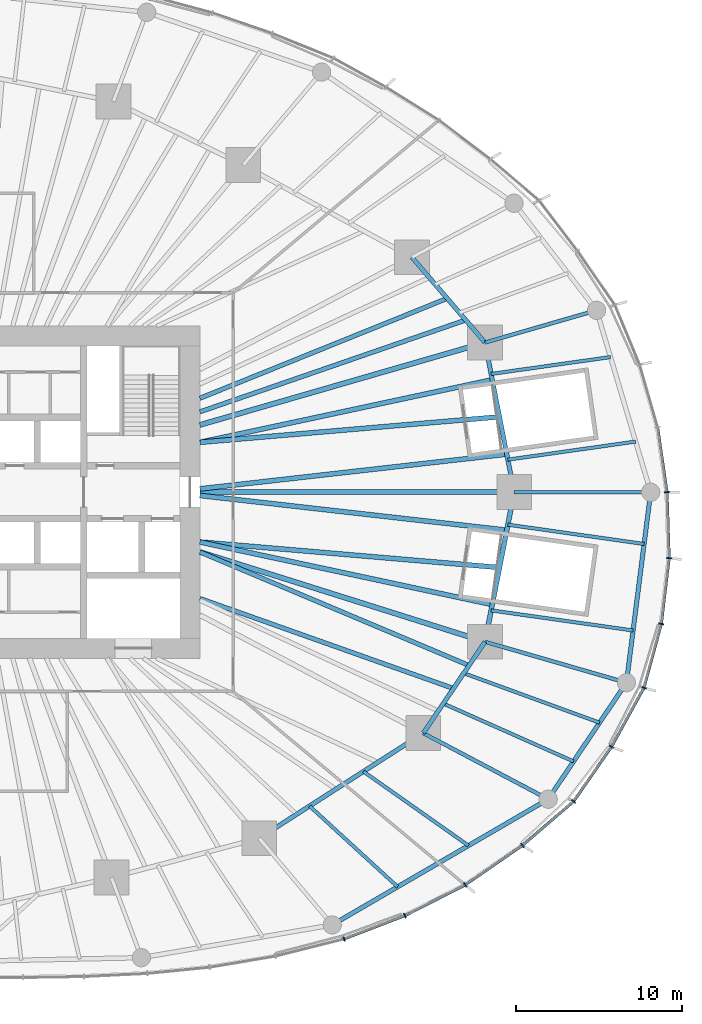
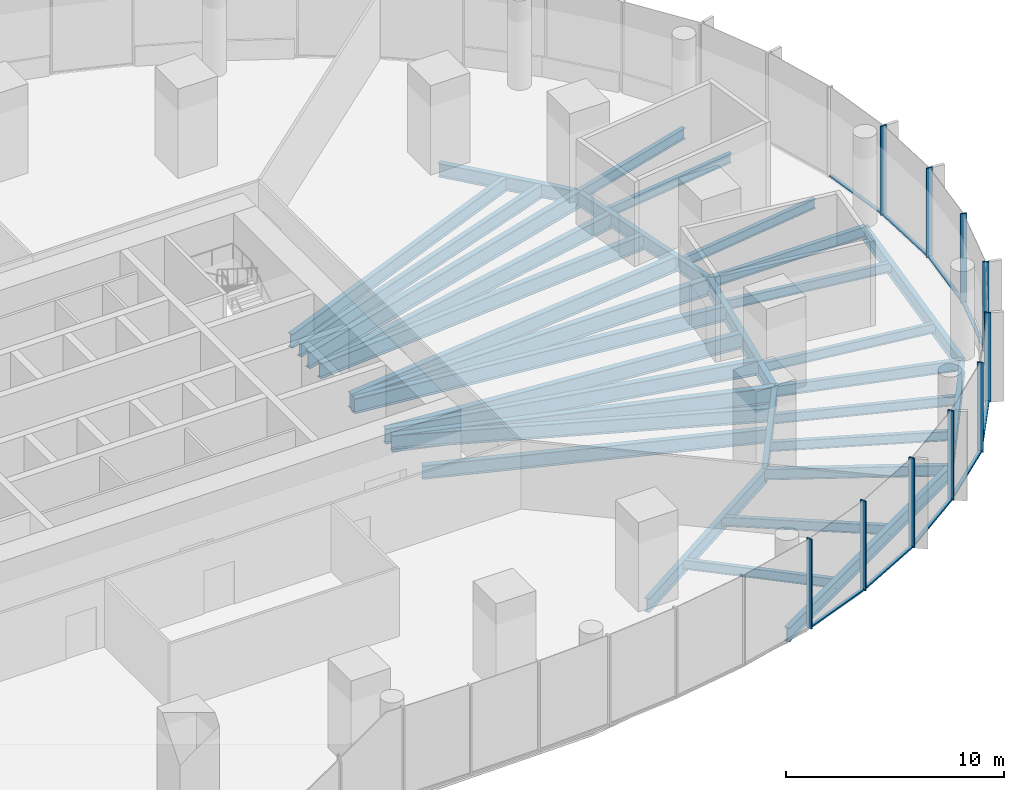
# One storey, part 8 of 27: 33 beams, 20 members, 4 elements without a shape of their own.
"""IFC4 building model written with IfcOpenShell, lengths in metres."""

from ifc_helpers import new_model, si_unit, direction, frame, origin, origin_2d, place, context, subcontext, project, spatial, rectangle, i_section, extrude, material, material_profile, profile_set, type_object, element, aggregate, save


model = new_model("IFC4")

# Units and contexts
model_context = context("Model", 3, precision=1e-05, world=origin(), true_north=direction((0.0, 1.0)))
body_context = subcontext(model_context, "Body", "Model", "MODEL_VIEW")
ifc_project = project(units=[si_unit("LENGTHUNIT", "METRE"), si_unit("AREAUNIT", "SQUARE_METRE"), si_unit("VOLUMEUNIT", "CUBIC_METRE"), si_unit("PLANEANGLEUNIT", "RADIAN"), si_unit("MASSUNIT", "GRAM", prefix="KILO")], contexts=[model_context])

# Site, building, storey
site_placement = place(None, origin())
site = spatial("IfcSite", under=ifc_project, at=site_placement, CompositionType="ELEMENT")
building_placement = place(site_placement, origin())
building = spatial("IfcBuilding", under=site, at=building_placement, Name="Ghaith Harvest Tower", CompositionType="ELEMENT")
storey_placement = place(building_placement, frame((0.0, 0.0, 10.0)))
storey = spatial("IfcBuildingStorey", under=building, at=storey_placement, Name="L02", CompositionType="ELEMENT", Elevation=10.0)

# Curtain wall, member
ifc_material_1 = material(Name="Black anodised aluminium and fritted glass", Category="aluminium")
curtain_wall_type = type_object("IfcCurtainWallType", Name="CW-P CURTAIN WALL", PredefinedType="NOTDEFINED", material=ifc_material_1)
curtain_wall_1_placement = place(storey_placement, origin())
curtain_wall_1 = element("IfcCurtainWall", 1, at=curtain_wall_1_placement, inside=storey, type_object=curtain_wall_type, Name="Curtain wall CW-P bay 01 L02", PredefinedType="NOTDEFINED")
ifc_material_2 = material(Name="Aluminium, black anodised", Category="aluminium")
ifc_material_profile_1 = material_profile(ifc_material_2, rectangle(XDim=0.080078125, YDim=0.300048828125, at=origin_2d()), Name="CW-P MULLION 80x300")
ifc_profile_set_1 = profile_set([ifc_material_profile_1], Name="Aluminium, black anodised")
member_type_1 = type_object("IfcMemberType", Name="CW-P MULLION 80x300", PredefinedType="MULLION", material=ifc_profile_set_1)
member_1_placement = place(storey_placement, frame((42.1201171875, 0.0, 0.0), z_axis=(0.0, 0.0, 1.0), x_axis=(-0.087961950041, 0.996123835346, 0.0)))
member_1 = element("IfcMember", 2, at=member_1_placement, type_object=member_type_1, Name="CW-P mullion 1 bay 01 L02", PredefinedType="MULLION", context=body_context, shape_type="SweptSolid", body=[
    extrude(rectangle(XDim=0.080078125, YDim=0.300048828125, at=origin_2d()), origin(), (0.0, 0.0, 1.0), 5.0),
])

# Curtain wall, members
curtain_wall_2_placement = place(storey_placement, origin())
curtain_wall_2 = element("IfcCurtainWall", 3, at=curtain_wall_2_placement, inside=storey, type_object=curtain_wall_type, Name="Curtain wall CW-P bay 18 L02", PredefinedType="NOTDEFINED")
member_2_placement = place(storey_placement, frame((22.679931640625, -26.895263671875, 0.0), z_axis=(0.0, 0.0, 1.0), x_axis=(0.954194174196, 0.299188031063, 0.0)))
member_2 = element("IfcMember", 4, at=member_2_placement, type_object=member_type_1, Name="CW-P mullion 1 bay 18 L02", PredefinedType="MULLION", context=body_context, shape_type="SweptSolid", body=[
    extrude(rectangle(XDim=0.080078125, YDim=0.300048828125, at=origin_2d()), origin(), (0.0, 0.0, 1.0), 5.0),
])
member_3_placement = place(storey_placement, frame((26.338623046875, -25.4921875, 0.0), z_axis=(0.0, 0.0, 1.0), x_axis=(0.913313717697, 0.407256740972, 0.0)))
member_3 = element("IfcMember", 5, at=member_3_placement, type_object=member_type_1, Name="CW-P mullion 2 bay 18 L02", PredefinedType="MULLION", context=body_context, shape_type="SweptSolid", body=[
    extrude(rectangle(XDim=0.080078125, YDim=0.300048828125, at=origin_2d()), origin(), (0.0, 0.0, 1.0), 5.0),
])
member_4_placement = place(storey_placement, frame((29.9716796875, -23.643798828125, 0.0), z_axis=(0.0, 0.0, 1.0), x_axis=(0.858546653086, 0.512735452719, 0.0)))
member_4 = element("IfcMember", 6, at=member_4_placement, type_object=member_type_1, Name="CW-P mullion 3 bay 18 L02", PredefinedType="MULLION", context=body_context, shape_type="SweptSolid", body=[
    extrude(rectangle(XDim=0.080078125, YDim=0.300048828125, at=origin_2d()), origin(), (0.0, 0.0, 1.0), 5.0),
])

curtain_wall_3_placement = place(storey_placement, origin())
curtain_wall_3 = element("IfcCurtainWall", 7, at=curtain_wall_3_placement, inside=storey, type_object=curtain_wall_type, Name="Curtain wall CW-P bay 19 L02", PredefinedType="NOTDEFINED")
member_5_placement = place(storey_placement, frame((33.41552734375, -21.265869140625, 0.0), z_axis=(0.0, 0.0, 1.0), x_axis=(0.792243116857, 0.610205575026, 0.0)))
member_5 = element("IfcMember", 8, at=member_5_placement, type_object=member_type_1, Name="CW-P mullion 1 bay 19 L02", PredefinedType="MULLION", context=body_context, shape_type="SweptSolid", body=[
    extrude(rectangle(XDim=0.080078125, YDim=0.300048828125, at=origin_2d()), origin(), (0.0, 0.0, 1.0), 5.0),
])
member_6_placement = place(storey_placement, frame((36.5, -18.615478515625, 0.0), z_axis=(0.0, 0.0, 1.0), x_axis=(0.670571788871, 0.741844644094, 0.0)))
member_6 = element("IfcMember", 9, at=member_6_placement, type_object=member_type_1, Name="CW-P mullion 2 bay 19 L02", PredefinedType="MULLION", context=body_context, shape_type="SweptSolid", body=[
    extrude(rectangle(XDim=0.080078125, YDim=0.300048828125, at=origin_2d()), origin(), (0.0, 0.0, 1.0), 5.0),
])
member_7_placement = place(storey_placement, frame((38.77978515625, -15.33154296875, 0.0), z_axis=(0.0, 0.0, 1.0), x_axis=(0.526226687845, 0.850344326141, 0.0)))
member_7 = element("IfcMember", 10, at=member_7_placement, type_object=member_type_1, Name="CW-P mullion 3 bay 19 L02", PredefinedType="MULLION", context=body_context, shape_type="SweptSolid", body=[
    extrude(rectangle(XDim=0.080078125, YDim=0.300048828125, at=origin_2d()), origin(), (0.0, 0.0, 1.0), 5.0),
])

curtain_wall_4_placement = place(storey_placement, origin())
curtain_wall_4 = element("IfcCurtainWall", 11, at=curtain_wall_4_placement, inside=storey, type_object=curtain_wall_type, Name="Curtain wall CW-P bay 20 L02", PredefinedType="NOTDEFINED")
member_8_placement = place(storey_placement, frame((40.734375, -11.773193359375, 0.0), z_axis=(0.0, 0.0, 1.0), x_axis=(0.375561809381, 0.926797349659, 0.0)))
member_8 = element("IfcMember", 12, at=member_8_placement, type_object=member_type_1, Name="CW-P mullion 1 bay 20 L02", PredefinedType="MULLION", context=body_context, shape_type="SweptSolid", body=[
    extrude(rectangle(XDim=0.080078125, YDim=0.300048828125, at=origin_2d()), origin(), (0.0, 0.0, 1.0), 5.0),
])
member_9_placement = place(storey_placement, frame((41.779052734375, -7.9296875, 0.0), z_axis=(0.0, 0.0, 1.0), x_axis=(0.190602324149, 0.981667333687, 0.0)))
member_9 = element("IfcMember", 13, at=member_9_placement, type_object=member_type_1, Name="CW-P mullion 2 bay 20 L02", PredefinedType="MULLION", context=body_context, shape_type="SweptSolid", body=[
    extrude(rectangle(XDim=0.080078125, YDim=0.300048828125, at=origin_2d()), origin(), (0.0, 0.0, 1.0), 5.0),
])
member_10_placement = place(storey_placement, frame((42.24853515625, -3.973876953125, 0.0), z_axis=(0.0, 0.0, 1.0), x_axis=(0.042954984448, 0.999077008699, 0.0)))
member_10 = element("IfcMember", 14, at=member_10_placement, type_object=member_type_1, Name="CW-P mullion 3 bay 20 L02", PredefinedType="MULLION", context=body_context, shape_type="SweptSolid", body=[
    extrude(rectangle(XDim=0.080078125, YDim=0.300048828125, at=origin_2d()), origin(), (0.0, 0.0, 1.0), 5.0),
])

# Member
ifc_material_3 = material(Name="Aluminium, black anodised", Category="aluminium")
ifc_material_profile_2 = material_profile(ifc_material_3, rectangle(XDim=0.179931640625, YDim=0.080078125, at=origin_2d()), Name="CW-P TRANSOM 180x80")
ifc_profile_set_2 = profile_set([ifc_material_profile_2], Name="Aluminium, black anodised")
member_type_2 = type_object("IfcMemberType", Name="CW-P TRANSOM 180x80", PredefinedType="USERDEFINED", material=ifc_profile_set_2)
member_11_placement = place(storey_placement, frame((42.1142578125, 0.03955078125, 0.0400390625), z_axis=(-0.143664608968, 0.989626434636, 0.0), x_axis=(-0.989626434636, -0.143664608968, 0.0)))
member_11 = element("IfcMember", 15, at=member_11_placement, type_object=member_type_2, Name="CW-P transom 1 bay 01 L02", ObjectType="TRANSOM", PredefinedType="USERDEFINED", context=body_context, shape_type="SweptSolid", body=[
    extrude(rectangle(XDim=0.179931640625, YDim=0.080078125, at=origin_2d()), origin(), (0.0, 0.0, 1.0), 3.869384765625),
])

aggregate(curtain_wall_1, [member_1, member_11])

member_12_placement = place(storey_placement, frame((22.71728515625, -26.880859375, 0.0400390625), z_axis=(0.933710682885, 0.358028435556, 0.0), x_axis=(-0.358028435556, 0.933710682885, 0.0)))
member_12 = element("IfcMember", 16, at=member_12_placement, type_object=member_type_2, Name="CW-P transom 1 bay 18 L02", ObjectType="TRANSOM", PredefinedType="USERDEFINED", context=body_context, shape_type="SweptSolid", body=[
    extrude(rectangle(XDim=0.179931640625, YDim=0.080078125, at=origin_2d()), origin(), (0.0, 0.0, 1.0), 3.83837890625),
])

member_13_placement = place(storey_placement, frame((26.374267578125, -25.47412109375, 0.0400390625), z_axis=(0.891265035365, 0.45348278549, 0.0), x_axis=(-0.45348278549, 0.891265035365, 0.0)))
member_13 = element("IfcMember", 17, at=member_13_placement, type_object=member_type_2, Name="CW-P transom 2 bay 18 L02", ObjectType="TRANSOM", PredefinedType="USERDEFINED", context=body_context, shape_type="SweptSolid", body=[
    extrude(rectangle(XDim=0.179931640625, YDim=0.080078125, at=origin_2d()), origin(), (0.0, 0.0, 1.0), 3.996337890625),
])

member_14_placement = place(storey_placement, frame((30.004638671875, -23.620849609375, 0.0400390625), z_axis=(0.822908818437, 0.568173456384, 0.0), x_axis=(-0.568173456384, 0.822908818437, 0.0)))
member_14 = element("IfcMember", 18, at=member_14_placement, type_object=member_type_2, Name="CW-P transom 3 bay 18 L02", ObjectType="TRANSOM", PredefinedType="USERDEFINED", context=body_context, shape_type="SweptSolid", body=[
    extrude(rectangle(XDim=0.179931640625, YDim=0.080078125, at=origin_2d()), origin(), (0.0, 0.0, 1.0), 4.10498046875),
])

aggregate(curtain_wall_2, [member_2, member_12, member_3, member_13, member_4, member_14])

member_15_placement = place(storey_placement, frame((33.44580078125, -21.23974609375, 0.0400390625), z_axis=(0.758486641581, 0.65168858709, 0.0), x_axis=(-0.65168858709, 0.758486641581, 0.0)))
member_15 = element("IfcMember", 19, at=member_15_placement, type_object=member_type_2, Name="CW-P transom 1 bay 19 L02", ObjectType="TRANSOM", PredefinedType="USERDEFINED", context=body_context, shape_type="SweptSolid", body=[
    extrude(rectangle(XDim=0.179931640625, YDim=0.080078125, at=origin_2d()), origin(), (0.0, 0.0, 1.0), 3.98681640625),
])

member_16_placement = place(storey_placement, frame((36.522705078125, -18.58251953125, 0.0400390625), z_axis=(0.570262668802, 0.821462408496, 0.0), x_axis=(-0.821462408496, 0.570262668802, 0.0)))
member_16 = element("IfcMember", 20, at=member_16_placement, type_object=member_type_2, Name="CW-P transom 2 bay 19 L02", ObjectType="TRANSOM", PredefinedType="USERDEFINED", context=body_context, shape_type="SweptSolid", body=[
    extrude(rectangle(XDim=0.179931640625, YDim=0.080078125, at=origin_2d()), origin(), (0.0, 0.0, 1.0), 3.917724609375),
])

member_17_placement = place(storey_placement, frame((38.798828125, -15.29638671875, 0.0400390625), z_axis=(0.481475987342, 0.876459282347, 0.0), x_axis=(-0.876459282347, 0.481475987342, 0.0)))
member_17 = element("IfcMember", 21, at=member_17_placement, type_object=member_type_2, Name="CW-P transom 3 bay 19 L02", ObjectType="TRANSOM", PredefinedType="USERDEFINED", context=body_context, shape_type="SweptSolid", body=[
    extrude(rectangle(XDim=0.179931640625, YDim=0.080078125, at=origin_2d()), origin(), (0.0, 0.0, 1.0), 3.97998046875),
])

aggregate(curtain_wall_3, [member_5, member_15, member_6, member_16, member_7, member_17])

member_18_placement = place(storey_placement, frame((40.744873046875, -11.734375, 0.0400390625), z_axis=(0.262296866032, 0.964987230004, 0.0), x_axis=(-0.964987230004, 0.262296866032, 0.0)))
member_18 = element("IfcMember", 22, at=member_18_placement, type_object=member_type_2, Name="CW-P transom 1 bay 20 L02", ObjectType="TRANSOM", PredefinedType="USERDEFINED", context=body_context, shape_type="SweptSolid", body=[
    extrude(rectangle(XDim=0.179931640625, YDim=0.080078125, at=origin_2d()), origin(), (0.0, 0.0, 1.0), 3.90283203125),
])

member_19_placement = place(storey_placement, frame((41.78369140625, -7.889892578125, 0.0400390625), z_axis=(0.117897187505, 0.993025806905, 0.0), x_axis=(-0.993025806905, 0.117897187505, 0.0)))
member_19 = element("IfcMember", 23, at=member_19_placement, type_object=member_type_2, Name="CW-P transom 2 bay 20 L02", ObjectType="TRANSOM", PredefinedType="USERDEFINED", context=body_context, shape_type="SweptSolid", body=[
    extrude(rectangle(XDim=0.179931640625, YDim=0.080078125, at=origin_2d()), origin(), (0.0, 0.0, 1.0), 3.903564453125),
])

member_20_placement = place(storey_placement, frame((42.247314453125, -3.933837890625, 0.0400390625), z_axis=(-0.03233620646, 0.999477048137, 0.0), x_axis=(-0.999477048137, -0.03233620646, 0.0)))
member_20 = element("IfcMember", 24, at=member_20_placement, type_object=member_type_2, Name="CW-P transom 3 bay 20 L02", ObjectType="TRANSOM", PredefinedType="USERDEFINED", context=body_context, shape_type="SweptSolid", body=[
    extrude(rectangle(XDim=0.179931640625, YDim=0.080078125, at=origin_2d()), origin(), (0.0, 0.0, 1.0), 3.895751953125),
])

aggregate(curtain_wall_4, [member_8, member_18, member_9, member_19, member_10, member_20])

# Beams
ifc_material_4 = material(Name="Steel ASTM A992 Grade 50", Category="steel")
ifc_material_profile_3 = material_profile(ifc_material_4, i_section(OverallWidth=0.26806640625, OverallDepth=0.77001953125, WebThickness=0.015625, FlangeThickness=0.025390625, at=origin_2d()), Name="W760X196")
ifc_profile_set_3 = profile_set([ifc_material_profile_3], Name="Steel ASTM A992 Grade 50")
beam_type_1 = type_object("IfcBeamType", Name="E760-196 W760X196", PredefinedType="SPANDREL", material=ifc_profile_set_3)
beam_1_placement = place(storey_placement, frame((32.925048828125, 0.0, -0.635009765625), z_axis=(-0.191653479461, 0.981462655332, 0.0), x_axis=(-0.981462655332, -0.191653479461, 0.0)))
element("IfcBeam", 25, at=beam_1_placement, inside=storey, type_object=beam_type_1, Name="Edge beam E01 L02", PredefinedType="SPANDREL", context=body_context, shape_type="SweptSolid", body=[
    extrude(i_section(OverallWidth=0.26806640625, OverallDepth=0.77001953125, WebThickness=0.015625, FlangeThickness=0.025390625, at=origin_2d()), origin(), (0.0, 0.0, 1.0), 9.17822265625),
])
beam_2_placement = place(storey_placement, frame((31.166015625, 9.008056640625, -0.635009765625), z_axis=(-0.65056255283, 0.759452674533, 0.0), x_axis=(-0.759452674533, -0.65056255283, 0.0)))
element("IfcBeam", 26, at=beam_2_placement, inside=storey, type_object=beam_type_1, Name="Edge beam E02 L02", PredefinedType="SPANDREL", context=body_context, shape_type="SweptSolid", body=[
    extrude(i_section(OverallWidth=0.26806640625, OverallDepth=0.77001953125, WebThickness=0.015625, FlangeThickness=0.025390625, at=origin_2d()), origin(), (0.0, 0.0, 1.0), 6.7666015625),
])
beam_3_placement = place(storey_placement, frame((17.572021484375, -20.8369140625, -0.635009765625), z_axis=(0.842014649705, 0.539454659524, 0.0), x_axis=(-0.539454659524, 0.842014649705, 0.0)))
element("IfcBeam", 27, at=beam_3_placement, inside=storey, type_object=beam_type_1, Name="Edge beam E18 L02", PredefinedType="SPANDREL", context=body_context, shape_type="SweptSolid", body=[
    extrude(i_section(OverallWidth=0.26806640625, OverallDepth=0.77001953125, WebThickness=0.015625, FlangeThickness=0.025390625, at=origin_2d()), origin(), (0.0, 0.0, 1.0), 11.730224609375),
])
beam_4_placement = place(storey_placement, frame((27.448974609375, -14.509033203125, -0.635009765625), z_axis=(0.559874470017, 0.828577442261, 0.0), x_axis=(-0.828577442261, 0.559874470017, 0.0)))
element("IfcBeam", 28, at=beam_4_placement, inside=storey, type_object=beam_type_1, Name="Edge beam E19 L02", PredefinedType="SPANDREL", context=body_context, shape_type="SweptSolid", body=[
    extrude(i_section(OverallWidth=0.26806640625, OverallDepth=0.77001953125, WebThickness=0.015625, FlangeThickness=0.025390625, at=origin_2d()), origin(), (0.0, 0.0, 1.0), 6.63916015625),
])
beam_5_placement = place(storey_placement, frame((21.968994140625, -26.052001953125, -0.635009765625), z_axis=(0.864235316994, 0.503087782459, 0.0), x_axis=(-0.503087782459, 0.864235316994, 0.0)))
element("IfcBeam", 29, at=beam_5_placement, inside=storey, type_object=beam_type_1, Name="Podium edge beam PE18 L02", PredefinedType="SPANDREL", context=body_context, shape_type="SweptSolid", body=[
    extrude(i_section(OverallWidth=0.26806640625, OverallDepth=0.77001953125, WebThickness=0.015625, FlangeThickness=0.025390625, at=origin_2d()), origin(), (0.0, 0.0, 1.0), 15.043212890625),
])
beam_6_placement = place(storey_placement, frame((34.969970703125, -18.48388671875, -0.635009765625), z_axis=(0.557510714814, 0.830169743406, 0.0), x_axis=(-0.830169743406, 0.557510714814, 0.0)))
element("IfcBeam", 30, at=beam_6_placement, inside=storey, type_object=beam_type_1, Name="Podium edge beam PE19 L02", PredefinedType="SPANDREL", context=body_context, shape_type="SweptSolid", body=[
    extrude(i_section(OverallWidth=0.26806640625, OverallDepth=0.77001953125, WebThickness=0.015625, FlangeThickness=0.025390625, at=origin_2d()), origin(), (0.0, 0.0, 1.0), 8.449951171875),
])
beam_7_placement = place(storey_placement, frame((39.680908203125, -11.468994140625, -0.635009765625), z_axis=(0.12629810636, 0.991992332798, 0.0), x_axis=(-0.991992332798, 0.12629810636, 0.0)))
element("IfcBeam", 31, at=beam_7_placement, inside=storey, type_object=beam_type_1, Name="Podium edge beam PE20 L02", PredefinedType="SPANDREL", context=body_context, shape_type="SweptSolid", body=[
    extrude(i_section(OverallWidth=0.26806640625, OverallDepth=0.77001953125, WebThickness=0.015625, FlangeThickness=0.025390625, at=origin_2d()), origin(), (0.0, 0.0, 1.0), 11.5615234375),
])
ifc_material_5 = material(Name="Steel ASTM A992 Grade 50", Category="steel")
ifc_material_profile_4 = material_profile(ifc_material_5, i_section(OverallWidth=0.2939453125, OverallDepth=0.85107421875, WebThickness=0.01611328125, FlangeThickness=0.02685546875, at=origin_2d()), Name="W840X226")
ifc_profile_set_4 = profile_set([ifc_material_profile_4], Name="Steel ASTM A992 Grade 50")
beam_type_2 = type_object("IfcBeamType", Name="E840-226 W840X226", PredefinedType="SPANDREL", material=ifc_profile_set_4)
beam_8_placement = place(storey_placement, frame((31.166015625, -9.008056640625, -0.675537109375), z_axis=(0.191653479461, 0.981462655332, 0.0), x_axis=(-0.981462655332, 0.191653479461, 0.0)))
element("IfcBeam", 32, at=beam_8_placement, inside=storey, type_object=beam_type_2, Name="Edge beam E20 L02", PredefinedType="SPANDREL", context=body_context, shape_type="SweptSolid", body=[
    extrude(i_section(OverallWidth=0.2939453125, OverallDepth=0.85107421875, WebThickness=0.01611328125, FlangeThickness=0.02685546875, at=origin_2d()), origin(), (0.0, 0.0, 1.0), 9.17822265625),
])
ifc_material_6 = material(Name="Steel ASTM A992 Grade 50", Category="steel")
ifc_material_profile_5 = material_profile(ifc_material_6, i_section(OverallWidth=0.22802734375, OverallDepth=0.60302734375, WebThickness=0.010498046875, FlangeThickness=0.014892578125, at=origin_2d()), Name="W610X101")
ifc_profile_set_5 = profile_set([ifc_material_profile_5], Name="Steel ASTM A992 Grade 50")
beam_type_3 = type_object("IfcBeamType", Name="G610-101 W610X101", PredefinedType="BEAM", material=ifc_profile_set_5)
beam_9_placement = place(storey_placement, frame((32.925048828125, 0.0, -0.551513671875), z_axis=(1.0, 0.0, 0.0), x_axis=(0.0, 1.0, 0.0)))
element("IfcBeam", 33, at=beam_9_placement, inside=storey, type_object=beam_type_3, Name="Podium radial beam PR01 L02", PredefinedType="BEAM", context=body_context, shape_type="SweptSolid", body=[
    extrude(i_section(OverallWidth=0.22802734375, OverallDepth=0.60302734375, WebThickness=0.010498046875, FlangeThickness=0.014892578125, at=origin_2d()), origin(), (0.0, 0.0, 1.0), 8.216064453125),
])
beam_10_placement = place(storey_placement, frame((31.166015625, 9.008056640625, -0.551513671875), z_axis=(0.960708183392, 0.277560419303, 0.0), x_axis=(-0.277560419303, 0.960708183392, 0.0)))
element("IfcBeam", 34, at=beam_10_placement, inside=storey, type_object=beam_type_3, Name="Podium radial beam PR02 L02", PredefinedType="BEAM", context=body_context, shape_type="SweptSolid", body=[
    extrude(i_section(OverallWidth=0.22802734375, OverallDepth=0.60302734375, WebThickness=0.010498046875, FlangeThickness=0.014892578125, at=origin_2d()), origin(), (0.0, 0.0, 1.0), 6.99267578125),
])
beam_11_placement = place(storey_placement, frame((27.448974609375, -14.509033203125, -0.551513671875), z_axis=(0.884120685754, -0.46725861471, 0.0), x_axis=(0.46725861471, 0.884120685754, 0.0)))
element("IfcBeam", 35, at=beam_11_placement, inside=storey, type_object=beam_type_3, Name="Podium radial beam PR19 L02", PredefinedType="BEAM", context=body_context, shape_type="SweptSolid", body=[
    extrude(i_section(OverallWidth=0.22802734375, OverallDepth=0.60302734375, WebThickness=0.010498046875, FlangeThickness=0.014892578125, at=origin_2d()), origin(), (0.0, 0.0, 1.0), 8.5068359375),
])
beam_12_placement = place(storey_placement, frame((31.166015625, -9.008056640625, -0.551513671875), z_axis=(0.960681697446, -0.277652077594, 0.0), x_axis=(0.277652077594, 0.960681697446, 0.0)))
element("IfcBeam", 36, at=beam_12_placement, inside=storey, type_object=beam_type_3, Name="Podium radial beam PR20 L02", PredefinedType="BEAM", context=body_context, shape_type="SweptSolid", body=[
    extrude(i_section(OverallWidth=0.22802734375, OverallDepth=0.60302734375, WebThickness=0.010498046875, FlangeThickness=0.014892578125, at=origin_2d()), origin(), (0.0, 0.0, 1.0), 8.86328125),
])
ifc_material_7 = material(Name="Steel ASTM A992 Grade 50", Category="steel")
ifc_material_profile_6 = material_profile(ifc_material_7, i_section(OverallWidth=0.31005859375, OverallDepth=0.927001953125, WebThickness=0.019287109375, FlangeThickness=0.031982421875, at=origin_2d()), Name="W920X289")
ifc_profile_set_6 = profile_set([ifc_material_profile_6], Name="Steel ASTM A992 Grade 50")
beam_type_4 = type_object("IfcBeamType", Name="G920-289 W920X289", PredefinedType="BEAM", material=ifc_profile_set_6)
beam_13_placement = place(storey_placement, frame((14.0, 4.04638671875, -0.71337890625), z_axis=(0.960675395102, 0.277673882903, 0.0), x_axis=(-0.277673882903, 0.960675395102, 0.0)))
element("IfcBeam", 37, at=beam_13_placement, inside=storey, type_object=beam_type_4, Name="Radial girder G02 L02", PredefinedType="BEAM", context=body_context, shape_type="SweptSolid", body=[
    extrude(i_section(OverallWidth=0.31005859375, OverallDepth=0.927001953125, WebThickness=0.019287109375, FlangeThickness=0.031982421875, at=origin_2d()), origin(), (0.0, 0.0, 1.0), 17.86865234375),
])
beam_14_placement = place(storey_placement, frame((14.0, -3.60009765625, -0.71337890625), z_axis=(0.953788071692, -0.300480139607, 0.0), x_axis=(0.300480139607, 0.953788071692, 0.0)))
element("IfcBeam", 38, at=beam_14_placement, inside=storey, type_object=beam_type_4, Name="Radial girder G20 L02", PredefinedType="BEAM", context=body_context, shape_type="SweptSolid", body=[
    extrude(i_section(OverallWidth=0.31005859375, OverallDepth=0.927001953125, WebThickness=0.019287109375, FlangeThickness=0.031982421875, at=origin_2d()), origin(), (0.0, 0.0, 1.0), 17.997802734375),
])
ifc_material_8 = material(Name="Steel ASTM A992 Grade 50", Category="steel")
ifc_material_profile_7 = material_profile(ifc_material_8, i_section(OverallWidth=0.306884765625, OverallDepth=0.94189453125, WebThickness=0.022216796875, FlangeThickness=0.039794921875, at=origin_2d()), Name="W920X345")
ifc_profile_set_7 = profile_set([ifc_material_profile_7], Name="Steel ASTM A992 Grade 50")
beam_type_5 = type_object("IfcBeamType", Name="G920-345 W920X345", PredefinedType="BEAM", material=ifc_profile_set_7)
beam_15_placement = place(storey_placement, frame((14.0, 0.0, -0.720947265625), z_axis=(1.0, 0.0, 0.0), x_axis=(0.0, 1.0, 0.0)))
element("IfcBeam", 39, at=beam_15_placement, inside=storey, type_object=beam_type_5, Name="Radial girder G01 L02", PredefinedType="BEAM", context=body_context, shape_type="SweptSolid", body=[
    extrude(i_section(OverallWidth=0.306884765625, OverallDepth=0.94189453125, WebThickness=0.022216796875, FlangeThickness=0.039794921875, at=origin_2d()), origin(), (0.0, 0.0, 1.0), 18.925048828125),
])
ifc_material_9 = material(Name="Steel ASTM A992 Grade 50", Category="steel")
ifc_material_profile_8 = material_profile(ifc_material_9, i_section(OverallWidth=0.208984375, OverallDepth=0.532958984375, WebThickness=0.01025390625, FlangeThickness=0.015625, at=origin_2d()), Name="W530X92")
ifc_profile_set_8 = profile_set([ifc_material_profile_8], Name="Steel ASTM A992 Grade 50")
beam_type_6 = type_object("IfcBeamType", Name="J530-92 W530X92", PredefinedType="JOIST", material=ifc_profile_set_8)
beam_16_placement = place(storey_placement, frame((32.542724609375, 1.957275390625, -0.5166015625), z_axis=(0.990124092618, 0.140193727454, 0.0), x_axis=(-0.140193727454, 0.990124092618, 0.0)))
element("IfcBeam", 40, at=beam_16_placement, inside=storey, type_object=beam_type_6, Name="Podium joist PJ01.1 L02", PredefinedType="JOIST", context=body_context, shape_type="SweptSolid", body=[
    extrude(i_section(OverallWidth=0.208984375, OverallDepth=0.532958984375, WebThickness=0.01025390625, FlangeThickness=0.015625, at=origin_2d()), origin(), (0.0, 0.0, 1.0), 7.7685546875),
])
beam_17_placement = place(storey_placement, frame((31.535400390625, 7.116943359375, -0.5166015625), z_axis=(0.990121662558, 0.140210888783, 0.0), x_axis=(-0.140210888783, 0.990121662558, 0.0)))
element("IfcBeam", 41, at=beam_17_placement, inside=storey, type_object=beam_type_6, Name="Podium joist PJ01.2 L02", PredefinedType="JOIST", context=body_context, shape_type="SweptSolid", body=[
    extrude(i_section(OverallWidth=0.208984375, OverallDepth=0.532958984375, WebThickness=0.01025390625, FlangeThickness=0.015625, at=origin_2d()), origin(), (0.0, 0.0, 1.0), 7.257568359375),
])
beam_18_placement = place(storey_placement, frame((20.601806640625, -18.895751953125, -0.5166015625), z_axis=(0.736961201282, -0.675935047031, 0.0), x_axis=(0.675935047031, 0.736961201282, 0.0)))
element("IfcBeam", 42, at=beam_18_placement, inside=storey, type_object=beam_type_6, Name="Podium joist PJ18.1 L02", PredefinedType="JOIST", context=body_context, shape_type="SweptSolid", body=[
    extrude(i_section(OverallWidth=0.208984375, OverallDepth=0.532958984375, WebThickness=0.01025390625, FlangeThickness=0.015625, at=origin_2d()), origin(), (0.0, 0.0, 1.0), 7.197021484375),
])
beam_19_placement = place(storey_placement, frame((23.84619140625, -16.8173828125, -0.5166015625), z_axis=(0.817218702852, -0.576327677375, 0.0), x_axis=(0.576327677375, 0.817218702852, 0.0)))
element("IfcBeam", 43, at=beam_19_placement, inside=storey, type_object=beam_type_6, Name="Podium joist PJ18.2 L02", PredefinedType="JOIST", context=body_context, shape_type="SweptSolid", body=[
    extrude(i_section(OverallWidth=0.208984375, OverallDepth=0.532958984375, WebThickness=0.01025390625, FlangeThickness=0.015625, at=origin_2d()), origin(), (0.0, 0.0, 1.0), 7.739013671875),
])
beam_20_placement = place(storey_placement, frame((28.654052734375, -12.7255859375, -0.5166015625), z_axis=(0.913928815615, -0.405874512612, 0.0), x_axis=(0.405874512612, 0.913928815615, 0.0)))
element("IfcBeam", 44, at=beam_20_placement, inside=storey, type_object=beam_type_6, Name="Podium joist PJ19.1 L02", PredefinedType="JOIST", context=body_context, shape_type="SweptSolid", body=[
    extrude(i_section(OverallWidth=0.208984375, OverallDepth=0.532958984375, WebThickness=0.01025390625, FlangeThickness=0.015625, at=origin_2d()), origin(), (0.0, 0.0, 1.0), 8.58251953125),
])
beam_21_placement = place(storey_placement, frame((29.888671875, -10.8984375, -0.5166015625), z_axis=(0.939491552624, -0.342572069129, 0.0), x_axis=(0.342572069129, 0.939491552624, 0.0)))
element("IfcBeam", 45, at=beam_21_placement, inside=storey, type_object=beam_type_6, Name="Podium joist PJ19.2 L02", PredefinedType="JOIST", context=body_context, shape_type="SweptSolid", body=[
    extrude(i_section(OverallWidth=0.208984375, OverallDepth=0.532958984375, WebThickness=0.01025390625, FlangeThickness=0.015625, at=origin_2d()), origin(), (0.0, 0.0, 1.0), 8.7001953125),
])
beam_22_placement = place(storey_placement, frame((31.535400390625, -7.116943359375, -0.5166015625), z_axis=(0.990120745012, -0.140217368026, 0.0), x_axis=(0.140217368026, 0.990120745012, 0.0)))
element("IfcBeam", 46, at=beam_22_placement, inside=storey, type_object=beam_type_6, Name="Podium joist PJ20.1 L02", PredefinedType="JOIST", context=body_context, shape_type="SweptSolid", body=[
    extrude(i_section(OverallWidth=0.208984375, OverallDepth=0.532958984375, WebThickness=0.01025390625, FlangeThickness=0.015625, at=origin_2d()), origin(), (0.0, 0.0, 1.0), 8.630859375),
])
beam_23_placement = place(storey_placement, frame((32.542724609375, -1.957275390625, -0.5166015625), z_axis=(0.990121478351, -0.140212189584, 0.0), x_axis=(0.140212189584, 0.990121478351, 0.0)))
element("IfcBeam", 47, at=beam_23_placement, inside=storey, type_object=beam_type_6, Name="Podium joist PJ20.2 L02", PredefinedType="JOIST", context=body_context, shape_type="SweptSolid", body=[
    extrude(i_section(OverallWidth=0.208984375, OverallDepth=0.532958984375, WebThickness=0.01025390625, FlangeThickness=0.015625, at=origin_2d()), origin(), (0.0, 0.0, 1.0), 8.282958984375),
])
ifc_material_10 = material(Name="Steel ASTM A992 Grade 50", Category="steel")
ifc_material_profile_9 = material_profile(ifc_material_10, i_section(OverallWidth=0.26806640625, OverallDepth=0.77001953125, WebThickness=0.015625, FlangeThickness=0.025390625, at=origin_2d()), Name="W760X196")
ifc_profile_set_9 = profile_set([ifc_material_profile_9], Name="Steel ASTM A992 Grade 50")
beam_type_7 = type_object("IfcBeamType", Name="J760-196 W760X196", PredefinedType="JOIST", material=ifc_profile_set_9)
beam_24_placement = place(storey_placement, frame((14.0, 4.835693359375, -0.635009765625), z_axis=(0.945204767809, 0.326478095607, 0.0), x_axis=(-0.326478095607, 0.945204767809, 0.0)))
element("IfcBeam", 48, at=beam_24_placement, inside=storey, type_object=beam_type_7, Name="Joist J02.1 L02", PredefinedType="JOIST", context=body_context, shape_type="SweptSolid", body=[
    extrude(i_section(OverallWidth=0.26806640625, OverallDepth=0.77001953125, WebThickness=0.015625, FlangeThickness=0.025390625, at=origin_2d()), origin(), (0.0, 0.0, 1.0), 16.932373046875),
])
beam_25_placement = place(storey_placement, frame((14.0, 5.653564453125, -0.635009765625), z_axis=(0.927252192145, 0.374437407536, 0.0), x_axis=(-0.374437407536, 0.927252192145, 0.0)))
element("IfcBeam", 49, at=beam_25_placement, inside=storey, type_object=beam_type_7, Name="Joist J02.2 L02", PredefinedType="JOIST", context=body_context, shape_type="SweptSolid", body=[
    extrude(i_section(OverallWidth=0.26806640625, OverallDepth=0.77001953125, WebThickness=0.015625, FlangeThickness=0.025390625, at=origin_2d()), origin(), (0.0, 0.0, 1.0), 16.057373046875),
])
beam_26_placement = place(storey_placement, frame((14.0, -6.39990234375, -0.635009765625), z_axis=(0.942399857711, -0.334488427581, 0.0), x_axis=(0.334488427581, 0.942399857711, 0.0)))
element("IfcBeam", 50, at=beam_26_placement, inside=storey, type_object=beam_type_7, Name="Joist J19.2 L02", PredefinedType="JOIST", context=body_context, shape_type="SweptSolid", body=[
    extrude(i_section(OverallWidth=0.26806640625, OverallDepth=0.77001953125, WebThickness=0.015625, FlangeThickness=0.025390625, at=origin_2d()), origin(), (0.0, 0.0, 1.0), 16.199951171875),
])
beam_27_placement = place(storey_placement, frame((14.0, -3.60009765625, -0.635009765625), z_axis=(0.921432978784, -0.388537341333, 0.0), x_axis=(0.388537341333, 0.921432978784, 0.0)))
element("IfcBeam", 51, at=beam_27_placement, inside=storey, type_object=beam_type_7, Name="Joist J19.3 L02", PredefinedType="JOIST", context=body_context, shape_type="SweptSolid", body=[
    extrude(i_section(OverallWidth=0.26806640625, OverallDepth=0.77001953125, WebThickness=0.015625, FlangeThickness=0.025390625, at=origin_2d()), origin(), (0.0, 0.0, 1.0), 17.585205078125),
])
ifc_material_11 = material(Name="Steel ASTM A992 Grade 50", Category="steel")
ifc_material_profile_10 = material_profile(ifc_material_11, i_section(OverallWidth=0.2939453125, OverallDepth=0.85107421875, WebThickness=0.01611328125, FlangeThickness=0.02685546875, at=origin_2d()), Name="W840X226")
ifc_profile_set_10 = profile_set([ifc_material_profile_10], Name="Steel ASTM A992 Grade 50")
beam_type_8 = type_object("IfcBeamType", Name="J840-226 W840X226", PredefinedType="JOIST", material=ifc_profile_set_10)
beam_28_placement = place(storey_placement, frame((14.0, 0.199951171875, -0.675537109375), z_axis=(0.993675458798, 0.112290171352, 0.0), x_axis=(-0.112290171352, 0.993675458798, 0.0)))
element("IfcBeam", 52, at=beam_28_placement, inside=storey, type_object=beam_type_8, Name="Joist J01.1 L02", PredefinedType="JOIST", context=body_context, shape_type="SweptSolid", body=[
    extrude(i_section(OverallWidth=0.2939453125, OverallDepth=0.85107421875, WebThickness=0.01611328125, FlangeThickness=0.02685546875, at=origin_2d()), origin(), (0.0, 0.0, 1.0), 18.595947265625),
])
beam_29_placement = place(storey_placement, frame((14.0, 3.0, -0.675537109375), z_axis=(0.996389274474, 0.084902377546, 0.0), x_axis=(-0.084902377546, 0.996389274474, 0.0)))
element("IfcBeam", 53, at=beam_29_placement, inside=storey, type_object=beam_type_8, Name="Joist J01.2 L02", PredefinedType="JOIST", context=body_context, shape_type="SweptSolid", body=[
    extrude(i_section(OverallWidth=0.2939453125, OverallDepth=0.85107421875, WebThickness=0.01611328125, FlangeThickness=0.02685546875, at=origin_2d()), origin(), (0.0, 0.0, 1.0), 18.1044921875),
])
for number, where, z_axis, x_axis, name in (
    (54, (14.0, 3.0, -0.675537109375), (0.977831380626, 0.209393865869, 0.0), (-0.209393865869, 0.977831380626, 0.0), "Joist J01.3 L02"),
    (55, (14.0, -3.0, -0.675537109375), (0.977831380626, -0.209393865869, 0.0), (0.209393865869, 0.977831380626, 0.0), "Joist J20.1 L02"),
):
    element("IfcBeam", number, at=place(storey_placement, frame(where, z_axis=z_axis, x_axis=x_axis)), inside=storey, type_object=beam_type_8, Name=name, PredefinedType="JOIST", context=body_context, shape_type="SweptSolid", body=[
        extrude(i_section(OverallWidth=0.2939453125, OverallDepth=0.85107421875, WebThickness=0.01611328125, FlangeThickness=0.02685546875, at=origin_2d()), origin(), (0.0, 0.0, 1.0), 18.002197265625),
    ])
beam_30_placement = place(storey_placement, frame((14.0, -3.0, -0.675537109375), z_axis=(0.996389274474, -0.084902377546, 0.0), x_axis=(0.084902377546, 0.996389274474, 0.0)))
element("IfcBeam", 56, at=beam_30_placement, inside=storey, type_object=beam_type_8, Name="Joist J20.2 L02", PredefinedType="JOIST", context=body_context, shape_type="SweptSolid", body=[
    extrude(i_section(OverallWidth=0.2939453125, OverallDepth=0.85107421875, WebThickness=0.01611328125, FlangeThickness=0.02685546875, at=origin_2d()), origin(), (0.0, 0.0, 1.0), 18.1044921875),
])
beam_31_placement = place(storey_placement, frame((14.0, -0.199951171875, -0.675537109375), z_axis=(0.993675458798, -0.112290171352, 0.0), x_axis=(0.112290171352, 0.993675458798, 0.0)))
element("IfcBeam", 57, at=beam_31_placement, inside=storey, type_object=beam_type_8, Name="Joist J20.3 L02", PredefinedType="JOIST", context=body_context, shape_type="SweptSolid", body=[
    extrude(i_section(OverallWidth=0.2939453125, OverallDepth=0.85107421875, WebThickness=0.01611328125, FlangeThickness=0.02685546875, at=origin_2d()), origin(), (0.0, 0.0, 1.0), 18.595947265625),
])

save(model, "model.ifc")
